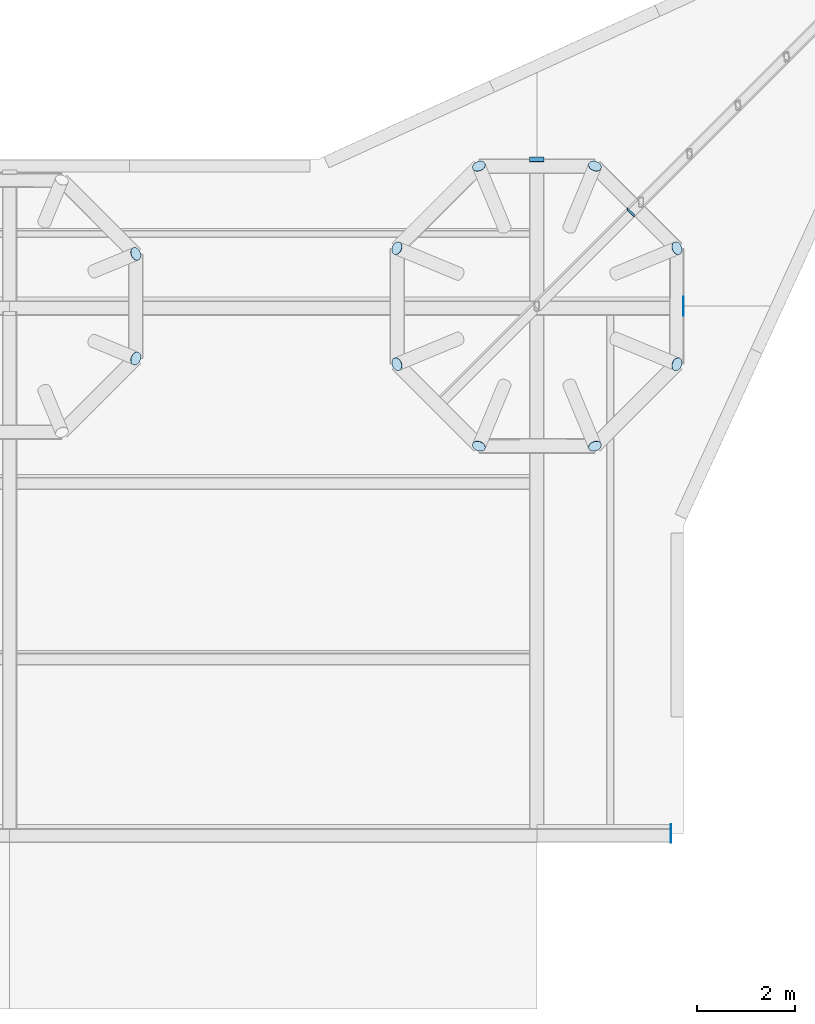
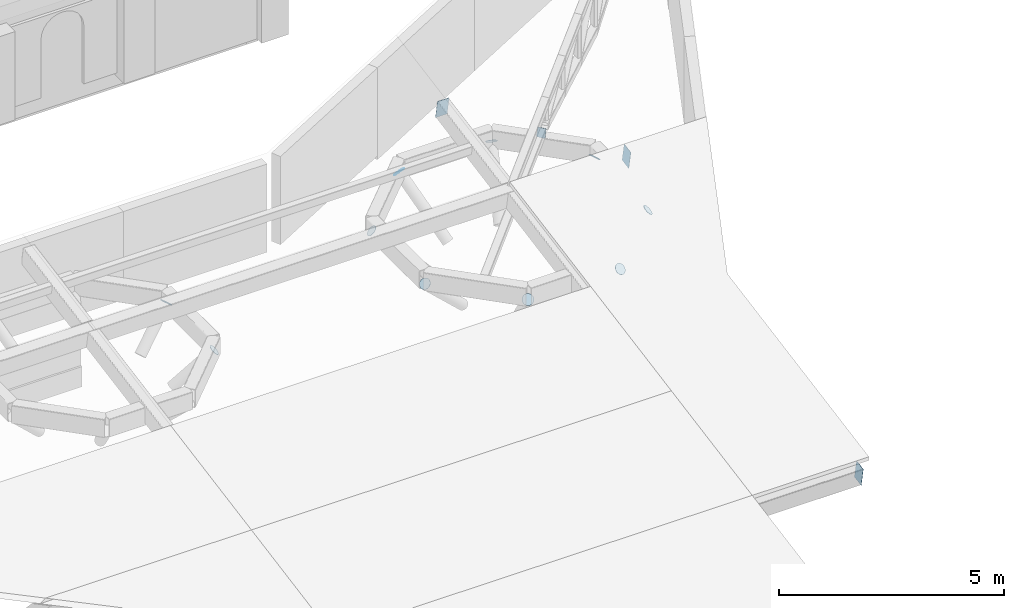
# One storey, part 21 of 32: 14 plates.
"""IFC4 building model written with IfcOpenShell, lengths in metres."""

from ifc_helpers import new_model, si_unit, direction, frame, origin, origin_2d, place, context, subcontext, project, spatial, rectangle, circle, extrude, material, material_profile, profile_set, type_object, element, save


model = new_model("IFC4")

# Units and contexts
model_context = context("Model", 3, precision=1e-05, world=origin(), true_north=direction((0.0, 1.0)))
body_context = subcontext(model_context, "Body", "Model", "MODEL_VIEW")
ifc_project = project(units=[si_unit("LENGTHUNIT", "METRE"), si_unit("AREAUNIT", "SQUARE_METRE"), si_unit("VOLUMEUNIT", "CUBIC_METRE"), si_unit("PLANEANGLEUNIT", "RADIAN"), si_unit("MASSUNIT", "GRAM", prefix="KILO")], contexts=[model_context])

# Site, building, storey
site_placement = place(None, origin())
site = spatial("IfcSite", under=ifc_project, at=site_placement, CompositionType="ELEMENT")
building_placement = place(site_placement, origin())
building = spatial("IfcBuilding", under=site, at=building_placement, Name="Magnolia Steps Interchange", CompositionType="ELEMENT")
storey_placement = place(building_placement, frame((0.0, 0.0, 16.5)))
storey = spatial("IfcBuildingStorey", under=building, at=storey_placement, Name="L04", CompositionType="ELEMENT", Elevation=16.5)

# Plates
ifc_material_1 = material(Name="Steel Q355B", Category="steel")
ifc_material_profile_1 = material_profile(ifc_material_1, circle(Radius=0.136474609375, at=origin_2d()), Name="End plate CHS273x14")
ifc_profile_set_1 = profile_set([ifc_material_profile_1], Name="Steel Q355B")
plate_type_1 = type_object("IfcPlateType", Name="End plate CHS273x14", PredefinedType="SHEET", material=ifc_profile_set_1)
for number, where, z_axis, x_axis, name in (
    (1, (109.780029296875, 86.668701171875, 1.401123046875), (0.664583318381, 0.275279424158, 0.694658370398), (-0.382683432789, 0.923879532336, 0.0), "End plate Tree rib"),
    (2, (109.780029296875, 84.53125, 1.401123046875), (0.664583318381, -0.275279424158, 0.694658370398), (0.382683432789, 0.923879532336, 0.0), "End plate Tree rib"),
    (3, (120.864013671875, 86.786376953125, 1.401123046875), (0.664583318381, 0.275279424158, 0.694658370398), (-0.382683432789, 0.923879532336, 0.0), "End plate Tree rib"),
    (4, (119.186279296875, 88.464111328125, 1.401123046875), (0.275279424158, 0.664583318381, 0.694658370398), (-0.923879532336, 0.382683432789, 0.0), "End plate Tree rib"),
    (5, (116.813720703125, 88.464111328125, 1.401123046875), (-0.275279424158, 0.664583318381, 0.694658370398), (-0.923879532336, -0.382683432789, 0.0), "End plate Tree rib"),
    (6, (115.135986328125, 86.786376953125, 1.401123046875), (-0.664583318381, 0.275279424158, 0.694658370398), (-0.382683432789, -0.923879532336, 0.0), "End plate Tree rib"),
    (7, (115.135986328125, 84.413818359375, 1.401123046875), (-0.664583318381, -0.275279424158, 0.694658370398), (0.382683432789, -0.923879532336, 0.0), "End plate Tree rib"),
    (8, (116.813720703125, 82.736083984375, 1.401123046875), (-0.275279424158, -0.664583318381, 0.694658370398), (0.923879532336, -0.382683432789, 0.0), "End plate Tree rib"),
    (9, (119.186279296875, 82.736083984375, 1.401123046875), (0.275279424158, -0.664583318381, 0.694658370398), (0.923879532336, 0.382683432789, 0.0), "End plate Tree rib"),
    (10, (120.864013671875, 84.413818359375, 1.401123046875), (0.664583318381, -0.275279424158, 0.694658370398), (0.382683432789, 0.923879532336, 0.0), "End plate Tree rib"),
):
    element("IfcPlate", number, at=place(storey_placement, frame(where, z_axis=z_axis, x_axis=x_axis)), inside=storey, type_object=plate_type_1, Name=name, PredefinedType="SHEET", context=body_context, shape_type="SweptSolid", body=[
        extrude(circle(Radius=0.136474609375, at=origin_2d()), origin(), (0.0, 0.0, 1.0), 0.008056640625),
    ])
ifc_material_2 = material(Name="Steel Q355B", Category="steel")
ifc_material_profile_2 = material_profile(ifc_material_2, rectangle(XDim=0.199951171875, YDim=0.300048828125, at=origin_2d()), Name="End plate RHS300x200x12")
ifc_profile_set_2 = profile_set([ifc_material_profile_2], Name="Steel Q355B")
plate_type_2 = type_object("IfcPlateType", Name="End plate RHS300x200x12", PredefinedType="SHEET", material=ifc_profile_set_2)
plate_placement = place(storey_placement, frame((119.919189453125, 87.51904296875, 1.947998046875), z_axis=(0.701264636593, 0.701264636593, 0.128280235925), x_axis=(-0.712901051665, 0.689818158293, 0.126186366241)))
element("IfcPlate", 11, at=plate_placement, inside=storey, type_object=plate_type_2, Name="End plate Spike truss bottom chord", PredefinedType="SHEET", context=body_context, shape_type="SweptSolid", body=[
    extrude(rectangle(XDim=0.199951171875, YDim=0.300048828125, at=origin_2d()), origin(), (0.0, 0.0, 1.0), 0.008056640625),
])
ifc_material_3 = material(Name="Steel Q355B", Category="steel")
ifc_material_profile_3 = material_profile(ifc_material_3, rectangle(XDim=0.300048828125, YDim=0.5, at=origin_2d()), Name="End plate RHS500x300x16")
ifc_profile_set_3 = profile_set([ifc_material_profile_3], Name="Steel Q355B")
plate_type_3 = type_object("IfcPlateType", Name="End plate RHS500x300x16", PredefinedType="SHEET", material=ifc_profile_set_3)
for number, where, z_axis, x_axis, name in (
    (12, (120.739990234375, 74.800048828125, 0.119873046875), (1.0, 0.0, 0.0), (0.0, 0.98367737698, 0.17994115154), "End plate Roof beam"),
    (13, (121.0, 85.60009765625, 2.095458984375), (1.0, 0.0, 0.0), (0.0, 0.98367737698, 0.17994115154), "End plate Roof beam"),
    (14, (118.0, 88.60009765625, 2.644287109375), (0.0, 0.98367993979, 0.179927140962), (-1.0, 0.0, 0.0), "End plate Roof beam"),
):
    element("IfcPlate", number, at=place(storey_placement, frame(where, z_axis=z_axis, x_axis=x_axis)), inside=storey, type_object=plate_type_3, Name=name, PredefinedType="SHEET", context=body_context, shape_type="SweptSolid", body=[
        extrude(rectangle(XDim=0.300048828125, YDim=0.5, at=origin_2d()), origin(), (0.0, 0.0, 1.0), 0.008056640625),
    ])

save(model, "model.ifc")
